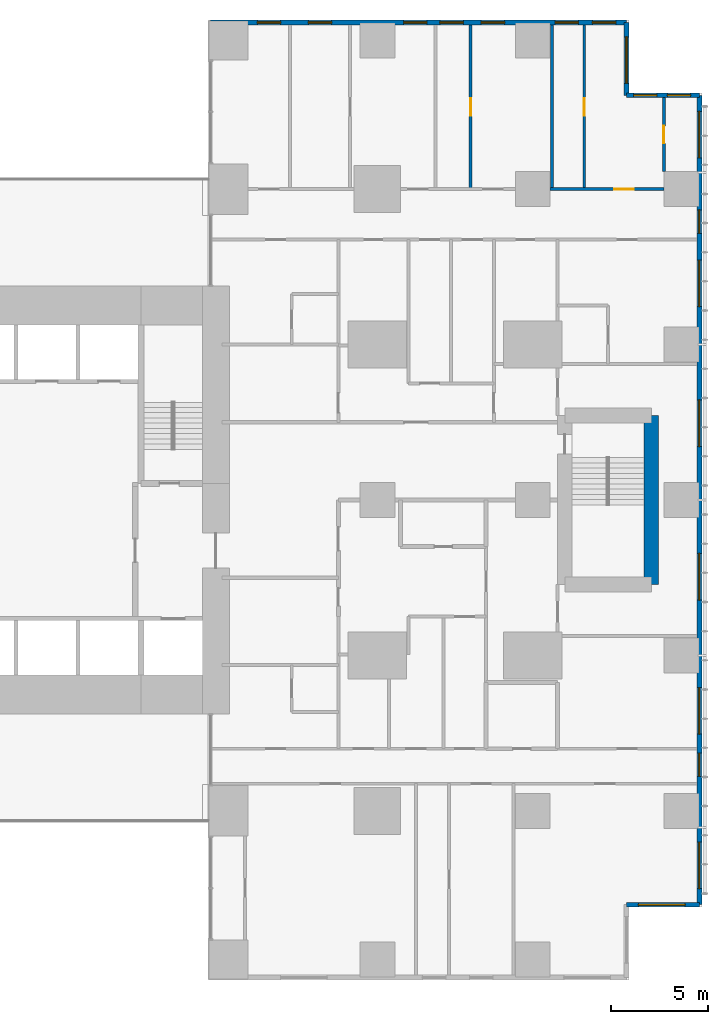
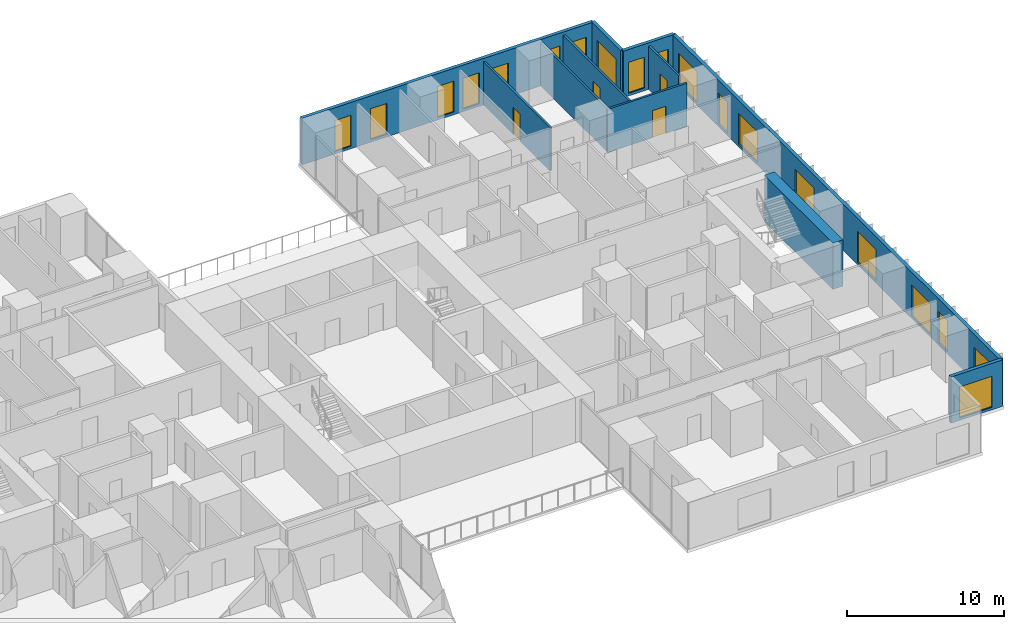
# One storey, part 18 of 20: 19 windows, 11 walls, 4 doors, 23 openings.
"""IFC4 building model written with IfcOpenShell, lengths in metres."""

import ifcopenshell
import ifcopenshell.guid

model = None  # the IFC model being written
_history = None  # IfcOwnerHistory: only IFC2X3 demands one
_inside = {}  # id of a spatial element -> (the spatial element, [elements in it])
_under = {}  # id of a project, library or spatial element -> (it, [spatial elements below it])
_declared = {}  # id of a project -> (the project, [libraries it declares])
_typed = {}  # id of a type object -> (the type object, [elements of that type])
_made_of = {}  # id of a material, layer set ... -> (it, [elements and type objects made of it])


def new_model(schema):
    """Start an empty IFC model of exactly this schema.

    Asked for "IFC4X3", IfcOpenShell would pick the latest addendum, in which some entities
    have other attributes; the version numbers below select the first issue.
    IFC2X3 requires an IfcOwnerHistory on every rooted entity: one is made here for all.
    """
    global model, _history
    if schema == "IFC4X3":
        model = ifcopenshell.file(schema_version=(4, 3, 0, 0))
    else:
        model = ifcopenshell.file(schema=schema)
    _inside.clear()
    _under.clear()
    _declared.clear()
    _typed.clear()
    _made_of.clear()
    _history = None
    if model.schema == "IFC2X3":
        org = make("IfcOrganization", Name="unknown")
        user = make(
            "IfcPersonAndOrganization",
            ThePerson=make("IfcPerson", FamilyName="unknown"),
            TheOrganization=org,
        )
        app = make(
            "IfcApplication",
            ApplicationDeveloper=org,
            Version="unknown",
            ApplicationFullName="unknown",
            ApplicationIdentifier="unknown",
        )
        _history = make(
            "IfcOwnerHistory",
            OwningUser=user,
            OwningApplication=app,
            ChangeAction="ADDED",
            CreationDate=0,
        )
    return model


def make(cls, **values):
    """One entity of the class cls with the attributes given. An attribute that is None is left unset."""
    return model.create_entity(
        cls, **{name: value for name, value in values.items() if value is not None}
    )


def rooted(cls, **values):
    """An entity with a GlobalId (a new one), such as an element, a storey or a relation."""
    return make(cls, GlobalId=ifcopenshell.guid.new(), OwnerHistory=_history, **values)


def si_unit(unit_type, name, prefix=None):
    """IfcSIUnit, for example si_unit("LENGTHUNIT", "METRE", prefix="MILLI")."""
    return make("IfcSIUnit", UnitType=unit_type, Prefix=prefix, Name=name)


def assignment(units):
    """IfcUnitAssignment: the units of a project."""
    return None if units is None else make("IfcUnitAssignment", Units=units)


def point(xyz):
    """IfcCartesianPoint."""
    return None if xyz is None else make("IfcCartesianPoint", Coordinates=xyz)


def direction(xyz):
    """IfcDirection."""
    return None if xyz is None else make("IfcDirection", DirectionRatios=xyz)


def frame(location, z_axis=None, x_axis=None):
    """IfcAxis2Placement3D, a coordinate frame: its origin and axes. An axis left out is left unset."""
    return make(
        "IfcAxis2Placement3D",
        Location=point(location),
        Axis=direction(z_axis),
        RefDirection=direction(x_axis),
    )


def frame_2d(location, x_axis=None):
    """IfcAxis2Placement2D, a coordinate frame in the plane: its origin and x axis."""
    return make(
        "IfcAxis2Placement2D", Location=point(location), RefDirection=direction(x_axis)
    )


def origin():
    """The frame at (0, 0, 0) with its axes left unset."""
    return frame((0.0, 0.0, 0.0))


def place(relative_to, where):
    """IfcLocalPlacement: puts the frame where relative to a parent placement (None: the world)."""
    return make(
        "IfcLocalPlacement", PlacementRelTo=relative_to, RelativePlacement=where
    )


def context(
    kind, dimensions, precision=None, world=None, true_north=None, identifier=None
):
    """IfcGeometricRepresentationContext, for example the 3D "Model" context."""
    return make(
        "IfcGeometricRepresentationContext",
        ContextIdentifier=identifier,
        ContextType=kind,
        CoordinateSpaceDimension=dimensions,
        Precision=precision,
        WorldCoordinateSystem=world,
        TrueNorth=true_north,
    )


def subcontext(parent, identifier, kind, view, scale=None):
    """IfcGeometricRepresentationSubContext, for example "Body" below "Model"."""
    return make(
        "IfcGeometricRepresentationSubContext",
        ContextIdentifier=identifier,
        ContextType=kind,
        ParentContext=parent,
        TargetScale=scale,
        TargetView=view,
    )


def project(units=None, contexts=None):
    """IfcProject with its units and contexts."""
    return rooted(
        "IfcProject",
        Name="project",
        RepresentationContexts=contexts,
        UnitsInContext=assignment(units),
    )


def spatial(cls, under=None, at=None, **own):
    """A site, building, storey or space (cls), placed at a placement, below another one or the project."""
    s = rooted(cls, ObjectPlacement=at, **own)
    if under is not None:
        _under.setdefault(under.id(), (under, []))[1].append(s)
    return s


def profile(cls, at=None, kind="AREA", **sizes):
    """A parametric profile (cls). Its sizes go by their IFC names, for example OverallWidth=200.0."""
    return make(cls, ProfileType=kind, Position=at, **sizes)


def rectangle(**sizes):
    """IfcRectangleProfileDef."""
    return profile("IfcRectangleProfileDef", **sizes)


def extrude(swept, where, along, depth):
    """IfcExtrudedAreaSolid: the profile swept, set in the frame where, extruded along a direction by depth."""
    return make(
        "IfcExtrudedAreaSolid",
        SweptArea=swept,
        Position=where,
        ExtrudedDirection=direction(along),
        Depth=depth,
    )


def shape(context_of_items, identifier, shape_type, items):
    """IfcShapeRepresentation: the items that make up one representation, for example the "Body"."""
    return make(
        "IfcShapeRepresentation",
        ContextOfItems=context_of_items,
        RepresentationIdentifier=identifier,
        RepresentationType=shape_type,
        Items=items,
    )


def material(Name=None, Category=None):
    """IfcMaterial."""
    return make("IfcMaterial", Name=Name, Category=Category)


def layer(
    of_material, thickness, ventilated=None, Name=None, Category=None, Priority=None
):
    """IfcMaterialLayer: one layer of a wall or slab, of a material (None: an air gap)."""
    return make(
        "IfcMaterialLayer",
        Material=of_material,
        LayerThickness=thickness,
        IsVentilated=ventilated,
        Name=Name,
        Category=Category,
        Priority=Priority,
    )


def layer_set(layers, Name=None):
    """IfcMaterialLayerSet."""
    return make("IfcMaterialLayerSet", MaterialLayers=layers, LayerSetName=Name)


def made_of(thing, what):
    """Note that an element or type object is made of a material, layer set ...; save() writes the relation."""
    if what is not None:
        _made_of.setdefault(what.id(), (what, []))[1].append(thing)
    return thing


def type_object(cls, material=None, **own):
    """A type object (cls), such as IfcWallType, which elements share."""
    return made_of(rooted(cls, **own), material)


def element(
    cls,
    number,
    at=None,
    inside=None,
    cuts=None,
    type_object=None,
    material=None,
    context=None,
    identifier="Body",
    shape_type=None,
    held_by="IfcProductDefinitionShape",
    body=None,
    shapes=None,
    **own,
):
    """One element of the class cls, such as IfcWall. Its Tag is "e" and its number.

    at: its placement. inside: the storey or other place that contains it. cuts: it is an
    opening in that element (IfcRelVoidsElement). A single representation is given by context,
    identifier, shape_type and body (its items); several are given by shapes. held_by: the class
    of the entity that holds the representations. save() writes the other relations.
    """
    e = rooted(cls, Tag="e%d" % number, ObjectPlacement=at, **own)
    if body is not None:
        shapes = [shape(context, identifier, shape_type, body)]
    if shapes is not None:
        e.Representation = make(held_by, Representations=shapes)
    if inside is not None:
        _inside.setdefault(inside.id(), (inside, []))[1].append(e)
    if cuts is not None:
        rooted(
            "IfcRelVoidsElement", RelatingBuildingElement=cuts, RelatedOpeningElement=e
        )
    if type_object is not None:
        _typed.setdefault(type_object.id(), (type_object, []))[1].append(e)
    return made_of(e, material)


def fill(opening, filler):
    """IfcRelFillsElement: the door or window that sits in an opening."""
    return rooted(
        "IfcRelFillsElement",
        RelatingOpeningElement=opening,
        RelatedBuildingElement=filler,
    )


def aggregate(whole, parts):
    """IfcRelAggregates: a whole, such as a stair, and the parts it consists of."""
    return rooted("IfcRelAggregates", RelatingObject=whole, RelatedObjects=parts)


def save(model, path):
    """Write the relations noted so far, then the file.

    IfcRelAggregates (storeys below a building ...), IfcRelContainedInSpatialStructure (elements
    in a storey), IfcRelDefinesByType, IfcRelAssociatesMaterial and IfcRelDeclares: one each for
    every whole, place, type object, material and project.
    """
    for whole, parts in _under.values():
        aggregate(whole, parts)
    for where, things in _inside.values():
        rooted(
            "IfcRelContainedInSpatialStructure",
            RelatedElements=things,
            RelatingStructure=where,
        )
    for kind, things in _typed.values():
        rooted("IfcRelDefinesByType", RelatedObjects=things, RelatingType=kind)
    for what, things in _made_of.values():
        rooted("IfcRelAssociatesMaterial", RelatedObjects=things, RelatingMaterial=what)
    for by, libraries in _declared.values():
        rooted("IfcRelDeclares", RelatingContext=by, RelatedDefinitions=libraries)
    model.write(path)


model = new_model("IFC4")

# Units and contexts
model_context = context("Model", 3, precision=1e-05, world=origin(), true_north=direction((0.0, 1.0)))
body_context = subcontext(model_context, "Body", "Model", "MODEL_VIEW")
ifc_project = project(units=[si_unit("LENGTHUNIT", "METRE"), si_unit("AREAUNIT", "SQUARE_METRE"), si_unit("VOLUMEUNIT", "CUBIC_METRE"), si_unit("PLANEANGLEUNIT", "RADIAN"), si_unit("MASSUNIT", "GRAM", prefix="KILO")], contexts=[model_context])

# Site, building, storey
site_placement = place(None, origin())
site = spatial("IfcSite", under=ifc_project, at=site_placement, CompositionType="ELEMENT")
building_placement = place(site_placement, origin())
building = spatial("IfcBuilding", under=site, at=building_placement, Name="Cleftline Residences", CompositionType="ELEMENT")
storey_placement = place(building_placement, frame((0.0, 0.0, 182.199951171875)))
storey = spatial("IfcBuildingStorey", under=building, at=storey_placement, Name="L47", CompositionType="ELEMENT", Elevation=182.199951171875)

# Wall, opening, window
ifc_material_1 = material(Name="Rendered reinforced concrete blockwork", Category="masonry")
ifc_layer_1 = layer(ifc_material_1, 0.25)
ifc_layer_set_1 = layer_set([ifc_layer_1], Name="EXTERNAL WALL 250")
wall_type_1 = type_object("IfcWallType", Name="EXTERNAL WALL 250", PredefinedType="SOLIDWALL", material=ifc_layer_set_1)
wall_1_placement = place(storey_placement, frame((62.824951171875, 3.175048828125, 0.0), z_axis=(0.0, 0.0, 1.0), x_axis=(1.0, 0.0, 0.0)))
wall_1 = element("IfcWall", 1, at=wall_1_placement, inside=storey, type_object=wall_type_1, Name="External wall", PredefinedType="SOLIDWALL", context=body_context, shape_type="SweptSolid", body=[
    extrude(rectangle(XDim=3.75, YDim=0.25, at=frame_2d((1.875, 0.0))), origin(), (0.0, 0.0, 1.0), 3.60009765625),
])
opening_1_placement = place(wall_1_placement, frame((0.612548828125, 0.0, 0.199951171875)))
opening_1 = element("IfcOpeningElement", 2, at=opening_1_placement, cuts=wall_1, Name="Opening W9", PredefinedType="OPENING", context=body_context, shape_type="SweptSolid", body=[
    extrude(rectangle(XDim=2.39990234375, YDim=2.39990234375, at=frame_2d((1.199951171875, 1.199951171875))), frame((0.0, 0.135009765625, 0.0), z_axis=(0.0, -1.0, 0.0), x_axis=(1.0, 0.0, 0.0)), (0.0, 0.0, 1.0), 0.27001953125),
])
ifc_material_2 = material(Name="Aluminium frame, clear double glazing", Category="aluminium")
window_type_1 = type_object("IfcWindowType", Name="WINDOW 2400X2400", PartitioningType="DOUBLE_PANEL_VERTICAL", PredefinedType="WINDOW", material=ifc_material_2)
window_1_placement = place(opening_1_placement, origin())
window_1 = element("IfcWindow", 3, at=window_1_placement, inside=storey, type_object=window_type_1, Name="Window", OverallHeight=2.39990234375, OverallWidth=2.39990234375, PartitioningType="SINGLE_PANEL", PredefinedType="WINDOW", context=body_context, shape_type="SweptSolid", body=[
    extrude(rectangle(XDim=2.39990234375, YDim=2.39990234375, at=frame_2d((1.199951171875, 1.199951171875))), frame((0.0, 0.030029296875, 0.0), z_axis=(0.0, -1.0, 0.0), x_axis=(1.0, 0.0, 0.0)), (0.0, 0.0, 1.0), 0.06005859375),
])
fill(opening_1, window_1)

# Wall, openings, windows
wall_2_placement = place(storey_placement, frame((66.574951171875, 3.175048828125, 0.0), z_axis=(0.0, 0.0, 1.0), x_axis=(0.0, 1.0, 0.0)))
wall_2 = element("IfcWall", 4, at=wall_2_placement, inside=storey, type_object=wall_type_1, Name="External wall", PredefinedType="SOLIDWALL", context=body_context, shape_type="SweptSolid", body=[
    extrude(rectangle(XDim=41.64990234375, YDim=0.25, at=frame_2d((20.824951171875, 0.0))), origin(), (0.0, 0.0, 1.0), 3.60009765625),
])
opening_2_placement = place(wall_2_placement, frame((0.824951171875, 0.0, 0.199951171875)))
opening_2 = element("IfcOpeningElement", 5, at=opening_2_placement, cuts=wall_2, Name="Opening W9", PredefinedType="OPENING", context=body_context, shape_type="SweptSolid", body=[
    extrude(rectangle(XDim=2.39990234375, YDim=2.39990234375, at=frame_2d((1.199951171875, 1.199951171875))), frame((0.0, 0.135009765625, 0.0), z_axis=(0.0, -1.0, 0.0), x_axis=(1.0, 0.0, 0.0)), (0.0, 0.0, 1.0), 0.27001953125),
])
opening_3_placement = place(wall_2_placement, frame((6.60009765625, 0.0, 0.199951171875)))
opening_3 = element("IfcOpeningElement", 6, at=opening_3_placement, cuts=wall_2, Name="Opening W13", PredefinedType="OPENING", context=body_context, shape_type="SweptSolid", body=[
    extrude(rectangle(XDim=1.199951171875, YDim=2.39990234375, at=frame_2d((0.60009765625, 1.199951171875))), frame((0.0, 0.135009765625, 0.0), z_axis=(0.0, -1.0, 0.0), x_axis=(1.0, 0.0, 0.0)), (0.0, 0.0, 1.0), 0.27001953125),
])
opening_4_placement = place(wall_2_placement, frame((8.77490234375, 0.0, 0.199951171875)))
opening_4 = element("IfcOpeningElement", 7, at=opening_4_placement, cuts=wall_2, Name="Opening W9", PredefinedType="OPENING", context=body_context, shape_type="SweptSolid", body=[
    extrude(rectangle(XDim=2.39990234375, YDim=2.39990234375, at=frame_2d((1.199951171875, 1.199951171875))), frame((0.0, 0.135009765625, 0.0), z_axis=(0.0, -1.0, 0.0), x_axis=(1.0, 0.0, 0.0)), (0.0, 0.0, 1.0), 0.27001953125),
])
opening_5_placement = place(wall_2_placement, frame((15.675048828125, 0.0, 0.199951171875)))
opening_5 = element("IfcOpeningElement", 8, at=opening_5_placement, cuts=wall_2, Name="Opening W9", PredefinedType="OPENING", context=body_context, shape_type="SweptSolid", body=[
    extrude(rectangle(XDim=2.39990234375, YDim=2.39990234375, at=frame_2d((1.199951171875, 1.199951171875))), frame((0.0, 0.135009765625, 0.0), z_axis=(0.0, -1.0, 0.0), x_axis=(1.0, 0.0, 0.0)), (0.0, 0.0, 1.0), 0.27001953125),
])
opening_6_placement = place(wall_2_placement, frame((23.574951171875, 0.0, 0.199951171875)))
opening_6 = element("IfcOpeningElement", 9, at=opening_6_placement, cuts=wall_2, Name="Opening W9", PredefinedType="OPENING", context=body_context, shape_type="SweptSolid", body=[
    extrude(rectangle(XDim=2.39990234375, YDim=2.39990234375, at=frame_2d((1.199951171875, 1.199951171875))), frame((0.0, 0.135009765625, 0.0), z_axis=(0.0, -1.0, 0.0), x_axis=(1.0, 0.0, 0.0)), (0.0, 0.0, 1.0), 0.27001953125),
])
opening_7_placement = place(wall_2_placement, frame((30.77490234375, 0.0, 0.199951171875)))
opening_7 = element("IfcOpeningElement", 10, at=opening_7_placement, cuts=wall_2, Name="Opening W9", PredefinedType="OPENING", context=body_context, shape_type="SweptSolid", body=[
    extrude(rectangle(XDim=2.39990234375, YDim=2.39990234375, at=frame_2d((1.199951171875, 1.199951171875))), frame((0.0, 0.135009765625, 0.0), z_axis=(0.0, -1.0, 0.0), x_axis=(1.0, 0.0, 0.0)), (0.0, 0.0, 1.0), 0.27001953125),
])
opening_8_placement = place(wall_2_placement, frame((34.550048828125, 0.0, 0.199951171875)))
opening_8 = element("IfcOpeningElement", 11, at=opening_8_placement, cuts=wall_2, Name="Opening W13", PredefinedType="OPENING", context=body_context, shape_type="SweptSolid", body=[
    extrude(rectangle(XDim=1.199951171875, YDim=2.39990234375, at=frame_2d((0.60009765625, 1.199951171875))), frame((0.0, 0.135009765625, 0.0), z_axis=(0.0, -1.0, 0.0), x_axis=(1.0, 0.0, 0.0)), (0.0, 0.0, 1.0), 0.27001953125),
])
opening_9_placement = place(wall_2_placement, frame((38.425048828125, 0.0, 0.199951171875)))
opening_9 = element("IfcOpeningElement", 12, at=opening_9_placement, cuts=wall_2, Name="Opening W9", PredefinedType="OPENING", context=body_context, shape_type="SweptSolid", body=[
    extrude(rectangle(XDim=2.39990234375, YDim=2.39990234375, at=frame_2d((1.199951171875, 1.199951171875))), frame((0.0, 0.135009765625, 0.0), z_axis=(0.0, -1.0, 0.0), x_axis=(1.0, 0.0, 0.0)), (0.0, 0.0, 1.0), 0.27001953125),
])
ifc_material_3 = material(Name="Aluminium frame, clear double glazing", Category="aluminium")
window_type_2 = type_object("IfcWindowType", Name="WINDOW 1200X2400", PartitioningType="DOUBLE_PANEL_VERTICAL", PredefinedType="WINDOW", material=ifc_material_3)
window_2_placement = place(opening_3_placement, origin())
window_2 = element("IfcWindow", 13, at=window_2_placement, inside=storey, type_object=window_type_2, Name="Window", OverallHeight=2.39990234375, OverallWidth=1.199951171875, PartitioningType="SINGLE_PANEL", PredefinedType="WINDOW", context=body_context, shape_type="SweptSolid", body=[
    extrude(rectangle(XDim=1.199951171875, YDim=2.39990234375, at=frame_2d((0.60009765625, 1.199951171875))), frame((0.0, 0.030029296875, 0.0), z_axis=(0.0, -1.0, 0.0), x_axis=(1.0, 0.0, 0.0)), (0.0, 0.0, 1.0), 0.06005859375),
])
fill(opening_3, window_2)
window_3_placement = place(opening_8_placement, origin())
window_3 = element("IfcWindow", 14, at=window_3_placement, inside=storey, type_object=window_type_2, Name="Window", OverallHeight=2.39990234375, OverallWidth=1.199951171875, PartitioningType="SINGLE_PANEL", PredefinedType="WINDOW", context=body_context, shape_type="SweptSolid", body=[
    extrude(rectangle(XDim=1.199951171875, YDim=2.39990234375, at=frame_2d((0.60009765625, 1.199951171875))), frame((0.0, 0.030029296875, 0.0), z_axis=(0.0, -1.0, 0.0), x_axis=(1.0, 0.0, 0.0)), (0.0, 0.0, 1.0), 0.06005859375),
])
fill(opening_8, window_3)
window_4_placement = place(opening_2_placement, origin())
window_4 = element("IfcWindow", 15, at=window_4_placement, inside=storey, type_object=window_type_1, Name="Window", OverallHeight=2.39990234375, OverallWidth=2.39990234375, PartitioningType="SINGLE_PANEL", PredefinedType="WINDOW", context=body_context, shape_type="SweptSolid", body=[
    extrude(rectangle(XDim=2.39990234375, YDim=2.39990234375, at=frame_2d((1.199951171875, 1.199951171875))), frame((0.0, 0.030029296875, 0.0), z_axis=(0.0, -1.0, 0.0), x_axis=(1.0, 0.0, 0.0)), (0.0, 0.0, 1.0), 0.06005859375),
])
fill(opening_2, window_4)
window_5_placement = place(opening_4_placement, origin())
window_5 = element("IfcWindow", 16, at=window_5_placement, inside=storey, type_object=window_type_1, Name="Window", OverallHeight=2.39990234375, OverallWidth=2.39990234375, PartitioningType="SINGLE_PANEL", PredefinedType="WINDOW", context=body_context, shape_type="SweptSolid", body=[
    extrude(rectangle(XDim=2.39990234375, YDim=2.39990234375, at=frame_2d((1.199951171875, 1.199951171875))), frame((0.0, 0.030029296875, 0.0), z_axis=(0.0, -1.0, 0.0), x_axis=(1.0, 0.0, 0.0)), (0.0, 0.0, 1.0), 0.06005859375),
])
fill(opening_4, window_5)
window_6_placement = place(opening_5_placement, origin())
window_6 = element("IfcWindow", 17, at=window_6_placement, inside=storey, type_object=window_type_1, Name="Window", OverallHeight=2.39990234375, OverallWidth=2.39990234375, PartitioningType="SINGLE_PANEL", PredefinedType="WINDOW", context=body_context, shape_type="SweptSolid", body=[
    extrude(rectangle(XDim=2.39990234375, YDim=2.39990234375, at=frame_2d((1.199951171875, 1.199951171875))), frame((0.0, 0.030029296875, 0.0), z_axis=(0.0, -1.0, 0.0), x_axis=(1.0, 0.0, 0.0)), (0.0, 0.0, 1.0), 0.06005859375),
])
fill(opening_5, window_6)
window_7_placement = place(opening_6_placement, origin())
window_7 = element("IfcWindow", 18, at=window_7_placement, inside=storey, type_object=window_type_1, Name="Window", OverallHeight=2.39990234375, OverallWidth=2.39990234375, PartitioningType="SINGLE_PANEL", PredefinedType="WINDOW", context=body_context, shape_type="SweptSolid", body=[
    extrude(rectangle(XDim=2.39990234375, YDim=2.39990234375, at=frame_2d((1.199951171875, 1.199951171875))), frame((0.0, 0.030029296875, 0.0), z_axis=(0.0, -1.0, 0.0), x_axis=(1.0, 0.0, 0.0)), (0.0, 0.0, 1.0), 0.06005859375),
])
fill(opening_6, window_7)
window_8_placement = place(opening_7_placement, origin())
window_8 = element("IfcWindow", 19, at=window_8_placement, inside=storey, type_object=window_type_1, Name="Window", OverallHeight=2.39990234375, OverallWidth=2.39990234375, PartitioningType="SINGLE_PANEL", PredefinedType="WINDOW", context=body_context, shape_type="SweptSolid", body=[
    extrude(rectangle(XDim=2.39990234375, YDim=2.39990234375, at=frame_2d((1.199951171875, 1.199951171875))), frame((0.0, 0.030029296875, 0.0), z_axis=(0.0, -1.0, 0.0), x_axis=(1.0, 0.0, 0.0)), (0.0, 0.0, 1.0), 0.06005859375),
])
fill(opening_7, window_8)
window_9_placement = place(opening_9_placement, origin())
window_9 = element("IfcWindow", 20, at=window_9_placement, inside=storey, type_object=window_type_1, Name="Window", OverallHeight=2.39990234375, OverallWidth=2.39990234375, PartitioningType="SINGLE_PANEL", PredefinedType="WINDOW", context=body_context, shape_type="SweptSolid", body=[
    extrude(rectangle(XDim=2.39990234375, YDim=2.39990234375, at=frame_2d((1.199951171875, 1.199951171875))), frame((0.0, 0.030029296875, 0.0), z_axis=(0.0, -1.0, 0.0), x_axis=(1.0, 0.0, 0.0)), (0.0, 0.0, 1.0), 0.06005859375),
])
fill(opening_9, window_9)

wall_3_placement = place(storey_placement, frame((66.574951171875, 44.824951171875, 0.0), z_axis=(0.0, 0.0, 1.0), x_axis=(-1.0, 0.0, 0.0)))
wall_3 = element("IfcWall", 21, at=wall_3_placement, inside=storey, type_object=wall_type_1, Name="External wall", PredefinedType="SOLIDWALL", context=body_context, shape_type="SweptSolid", body=[
    extrude(rectangle(XDim=3.75, YDim=0.25, at=frame_2d((1.875, 0.0))), origin(), (0.0, 0.0, 1.0), 3.60009765625),
])
opening_10_placement = place(wall_3_placement, frame((0.449951171875, 0.0, 0.199951171875)))
opening_10 = element("IfcOpeningElement", 22, at=opening_10_placement, cuts=wall_3, Name="Opening W13", PredefinedType="OPENING", context=body_context, shape_type="SweptSolid", body=[
    extrude(rectangle(XDim=1.199951171875, YDim=2.39990234375, at=frame_2d((0.60009765625, 1.199951171875))), frame((0.0, 0.135009765625, 0.0), z_axis=(0.0, -1.0, 0.0), x_axis=(1.0, 0.0, 0.0)), (0.0, 0.0, 1.0), 0.27001953125),
])
opening_11_placement = place(wall_3_placement, frame((2.1875, 0.0, 0.199951171875)))
opening_11 = element("IfcOpeningElement", 23, at=opening_11_placement, cuts=wall_3, Name="Opening W13", PredefinedType="OPENING", context=body_context, shape_type="SweptSolid", body=[
    extrude(rectangle(XDim=1.199951171875, YDim=2.39990234375, at=frame_2d((0.60009765625, 1.199951171875))), frame((0.0, 0.135009765625, 0.0), z_axis=(0.0, -1.0, 0.0), x_axis=(1.0, 0.0, 0.0)), (0.0, 0.0, 1.0), 0.27001953125),
])
window_10_placement = place(opening_10_placement, origin())
window_10 = element("IfcWindow", 24, at=window_10_placement, inside=storey, type_object=window_type_2, Name="Window", OverallHeight=2.39990234375, OverallWidth=1.199951171875, PartitioningType="SINGLE_PANEL", PredefinedType="WINDOW", context=body_context, shape_type="SweptSolid", body=[
    extrude(rectangle(XDim=1.199951171875, YDim=2.39990234375, at=frame_2d((0.60009765625, 1.199951171875))), frame((0.0, 0.030029296875, 0.0), z_axis=(0.0, -1.0, 0.0), x_axis=(1.0, 0.0, 0.0)), (0.0, 0.0, 1.0), 0.06005859375),
])
fill(opening_10, window_10)
window_11_placement = place(opening_11_placement, origin())
window_11 = element("IfcWindow", 25, at=window_11_placement, inside=storey, type_object=window_type_2, Name="Window", OverallHeight=2.39990234375, OverallWidth=1.199951171875, PartitioningType="SINGLE_PANEL", PredefinedType="WINDOW", context=body_context, shape_type="SweptSolid", body=[
    extrude(rectangle(XDim=1.199951171875, YDim=2.39990234375, at=frame_2d((0.60009765625, 1.199951171875))), frame((0.0, 0.030029296875, 0.0), z_axis=(0.0, -1.0, 0.0), x_axis=(1.0, 0.0, 0.0)), (0.0, 0.0, 1.0), 0.06005859375),
])
fill(opening_11, window_11)

# Wall, opening, window
wall_4_placement = place(storey_placement, frame((62.824951171875, 44.824951171875, 0.0), z_axis=(0.0, 0.0, 1.0), x_axis=(0.0, 1.0, 0.0)))
wall_4 = element("IfcWall", 26, at=wall_4_placement, inside=storey, type_object=wall_type_1, Name="External wall", PredefinedType="SOLIDWALL", context=body_context, shape_type="SweptSolid", body=[
    extrude(rectangle(XDim=3.75, YDim=0.25, at=frame_2d((1.875, 0.0))), origin(), (0.0, 0.0, 1.0), 3.60009765625),
])
opening_12_placement = place(wall_4_placement, frame((0.612548828125, 0.0, 0.199951171875)))
opening_12 = element("IfcOpeningElement", 27, at=opening_12_placement, cuts=wall_4, Name="Opening W9", PredefinedType="OPENING", context=body_context, shape_type="SweptSolid", body=[
    extrude(rectangle(XDim=2.39990234375, YDim=2.39990234375, at=frame_2d((1.199951171875, 1.199951171875))), frame((0.0, 0.135009765625, 0.0), z_axis=(0.0, -1.0, 0.0), x_axis=(1.0, 0.0, 0.0)), (0.0, 0.0, 1.0), 0.27001953125),
])
window_12_placement = place(opening_12_placement, origin())
window_12 = element("IfcWindow", 28, at=window_12_placement, inside=storey, type_object=window_type_1, Name="Window", OverallHeight=2.39990234375, OverallWidth=2.39990234375, PartitioningType="SINGLE_PANEL", PredefinedType="WINDOW", context=body_context, shape_type="SweptSolid", body=[
    extrude(rectangle(XDim=2.39990234375, YDim=2.39990234375, at=frame_2d((1.199951171875, 1.199951171875))), frame((0.0, 0.030029296875, 0.0), z_axis=(0.0, -1.0, 0.0), x_axis=(1.0, 0.0, 0.0)), (0.0, 0.0, 1.0), 0.06005859375),
])
fill(opening_12, window_12)

# Wall, openings, windows
wall_5_placement = place(storey_placement, frame((62.824951171875, 48.574951171875, 0.0), z_axis=(0.0, 0.0, 1.0), x_axis=(-1.0, 0.0, 0.0)))
wall_5 = element("IfcWall", 29, at=wall_5_placement, inside=storey, type_object=wall_type_1, Name="External wall", PredefinedType="SOLIDWALL", context=body_context, shape_type="SweptSolid", body=[
    extrude(rectangle(XDim=21.39990234375, YDim=0.25, at=frame_2d((10.699951171875, 0.0))), origin(), (0.0, 0.0, 1.0), 3.60009765625),
])
opening_13_placement = place(wall_5_placement, frame((0.550048828125, 0.0, 0.199951171875)))
opening_13 = element("IfcOpeningElement", 30, at=opening_13_placement, cuts=wall_5, Name="Opening W13", PredefinedType="OPENING", context=body_context, shape_type="SweptSolid", body=[
    extrude(rectangle(XDim=1.199951171875, YDim=2.39990234375, at=frame_2d((0.60009765625, 1.199951171875))), frame((0.0, 0.135009765625, 0.0), z_axis=(0.0, -1.0, 0.0), x_axis=(1.0, 0.0, 0.0)), (0.0, 0.0, 1.0), 0.27001953125),
])
opening_14_placement = place(wall_5_placement, frame((2.47509765625, 0.0, 0.199951171875)))
opening_14 = element("IfcOpeningElement", 31, at=opening_14_placement, cuts=wall_5, Name="Opening W13", PredefinedType="OPENING", context=body_context, shape_type="SweptSolid", body=[
    extrude(rectangle(XDim=1.199951171875, YDim=2.39990234375, at=frame_2d((0.60009765625, 1.199951171875))), frame((0.0, 0.135009765625, 0.0), z_axis=(0.0, -1.0, 0.0), x_axis=(1.0, 0.0, 0.0)), (0.0, 0.0, 1.0), 0.27001953125),
])
opening_15_placement = place(wall_5_placement, frame((6.27490234375, 0.0, 0.199951171875)))
opening_15 = element("IfcOpeningElement", 32, at=opening_15_placement, cuts=wall_5, Name="Opening W13", PredefinedType="OPENING", context=body_context, shape_type="SweptSolid", body=[
    extrude(rectangle(XDim=1.199951171875, YDim=2.39990234375, at=frame_2d((0.60009765625, 1.199951171875))), frame((0.0, 0.135009765625, 0.0), z_axis=(0.0, -1.0, 0.0), x_axis=(1.0, 0.0, 0.0)), (0.0, 0.0, 1.0), 0.27001953125),
])
opening_16_placement = place(wall_5_placement, frame((8.39990234375, 0.0, 0.199951171875)))
opening_16 = element("IfcOpeningElement", 33, at=opening_16_placement, cuts=wall_5, Name="Opening W13", PredefinedType="OPENING", context=body_context, shape_type="SweptSolid", body=[
    extrude(rectangle(XDim=1.199951171875, YDim=2.39990234375, at=frame_2d((0.60009765625, 1.199951171875))), frame((0.0, 0.135009765625, 0.0), z_axis=(0.0, -1.0, 0.0), x_axis=(1.0, 0.0, 0.0)), (0.0, 0.0, 1.0), 0.27001953125),
])
opening_17_placement = place(wall_5_placement, frame((10.27490234375, 0.0, 0.199951171875)))
opening_17 = element("IfcOpeningElement", 34, at=opening_17_placement, cuts=wall_5, Name="Opening W13", PredefinedType="OPENING", context=body_context, shape_type="SweptSolid", body=[
    extrude(rectangle(XDim=1.199951171875, YDim=2.39990234375, at=frame_2d((0.60009765625, 1.199951171875))), frame((0.0, 0.135009765625, 0.0), z_axis=(0.0, -1.0, 0.0), x_axis=(1.0, 0.0, 0.0)), (0.0, 0.0, 1.0), 0.27001953125),
])
opening_18_placement = place(wall_5_placement, frame((15.175048828125, 0.0, 0.199951171875)))
opening_18 = element("IfcOpeningElement", 35, at=opening_18_placement, cuts=wall_5, Name="Opening W13", PredefinedType="OPENING", context=body_context, shape_type="SweptSolid", body=[
    extrude(rectangle(XDim=1.199951171875, YDim=2.39990234375, at=frame_2d((0.60009765625, 1.199951171875))), frame((0.0, 0.135009765625, 0.0), z_axis=(0.0, -1.0, 0.0), x_axis=(1.0, 0.0, 0.0)), (0.0, 0.0, 1.0), 0.27001953125),
])
opening_19_placement = place(wall_5_placement, frame((17.800048828125, 0.0, 0.199951171875)))
opening_19 = element("IfcOpeningElement", 36, at=opening_19_placement, cuts=wall_5, Name="Opening W13", PredefinedType="OPENING", context=body_context, shape_type="SweptSolid", body=[
    extrude(rectangle(XDim=1.199951171875, YDim=2.39990234375, at=frame_2d((0.60009765625, 1.199951171875))), frame((0.0, 0.135009765625, 0.0), z_axis=(0.0, -1.0, 0.0), x_axis=(1.0, 0.0, 0.0)), (0.0, 0.0, 1.0), 0.27001953125),
])
window_13_placement = place(opening_13_placement, origin())
window_13 = element("IfcWindow", 37, at=window_13_placement, inside=storey, type_object=window_type_2, Name="Window", OverallHeight=2.39990234375, OverallWidth=1.199951171875, PartitioningType="SINGLE_PANEL", PredefinedType="WINDOW", context=body_context, shape_type="SweptSolid", body=[
    extrude(rectangle(XDim=1.199951171875, YDim=2.39990234375, at=frame_2d((0.60009765625, 1.199951171875))), frame((0.0, 0.030029296875, 0.0), z_axis=(0.0, -1.0, 0.0), x_axis=(1.0, 0.0, 0.0)), (0.0, 0.0, 1.0), 0.06005859375),
])
fill(opening_13, window_13)
window_14_placement = place(opening_14_placement, origin())
window_14 = element("IfcWindow", 38, at=window_14_placement, inside=storey, type_object=window_type_2, Name="Window", OverallHeight=2.39990234375, OverallWidth=1.199951171875, PartitioningType="SINGLE_PANEL", PredefinedType="WINDOW", context=body_context, shape_type="SweptSolid", body=[
    extrude(rectangle(XDim=1.199951171875, YDim=2.39990234375, at=frame_2d((0.60009765625, 1.199951171875))), frame((0.0, 0.030029296875, 0.0), z_axis=(0.0, -1.0, 0.0), x_axis=(1.0, 0.0, 0.0)), (0.0, 0.0, 1.0), 0.06005859375),
])
fill(opening_14, window_14)
window_15_placement = place(opening_15_placement, origin())
window_15 = element("IfcWindow", 39, at=window_15_placement, inside=storey, type_object=window_type_2, Name="Window", OverallHeight=2.39990234375, OverallWidth=1.199951171875, PartitioningType="SINGLE_PANEL", PredefinedType="WINDOW", context=body_context, shape_type="SweptSolid", body=[
    extrude(rectangle(XDim=1.199951171875, YDim=2.39990234375, at=frame_2d((0.60009765625, 1.199951171875))), frame((0.0, 0.030029296875, 0.0), z_axis=(0.0, -1.0, 0.0), x_axis=(1.0, 0.0, 0.0)), (0.0, 0.0, 1.0), 0.06005859375),
])
fill(opening_15, window_15)
window_16_placement = place(opening_16_placement, origin())
window_16 = element("IfcWindow", 40, at=window_16_placement, inside=storey, type_object=window_type_2, Name="Window", OverallHeight=2.39990234375, OverallWidth=1.199951171875, PartitioningType="SINGLE_PANEL", PredefinedType="WINDOW", context=body_context, shape_type="SweptSolid", body=[
    extrude(rectangle(XDim=1.199951171875, YDim=2.39990234375, at=frame_2d((0.60009765625, 1.199951171875))), frame((0.0, 0.030029296875, 0.0), z_axis=(0.0, -1.0, 0.0), x_axis=(1.0, 0.0, 0.0)), (0.0, 0.0, 1.0), 0.06005859375),
])
fill(opening_16, window_16)
window_17_placement = place(opening_17_placement, origin())
window_17 = element("IfcWindow", 41, at=window_17_placement, inside=storey, type_object=window_type_2, Name="Window", OverallHeight=2.39990234375, OverallWidth=1.199951171875, PartitioningType="SINGLE_PANEL", PredefinedType="WINDOW", context=body_context, shape_type="SweptSolid", body=[
    extrude(rectangle(XDim=1.199951171875, YDim=2.39990234375, at=frame_2d((0.60009765625, 1.199951171875))), frame((0.0, 0.030029296875, 0.0), z_axis=(0.0, -1.0, 0.0), x_axis=(1.0, 0.0, 0.0)), (0.0, 0.0, 1.0), 0.06005859375),
])
fill(opening_17, window_17)
window_18_placement = place(opening_18_placement, origin())
window_18 = element("IfcWindow", 42, at=window_18_placement, inside=storey, type_object=window_type_2, Name="Window", OverallHeight=2.39990234375, OverallWidth=1.199951171875, PartitioningType="SINGLE_PANEL", PredefinedType="WINDOW", context=body_context, shape_type="SweptSolid", body=[
    extrude(rectangle(XDim=1.199951171875, YDim=2.39990234375, at=frame_2d((0.60009765625, 1.199951171875))), frame((0.0, 0.030029296875, 0.0), z_axis=(0.0, -1.0, 0.0), x_axis=(1.0, 0.0, 0.0)), (0.0, 0.0, 1.0), 0.06005859375),
])
fill(opening_18, window_18)
window_19_placement = place(opening_19_placement, origin())
window_19 = element("IfcWindow", 43, at=window_19_placement, inside=storey, type_object=window_type_2, Name="Window", OverallHeight=2.39990234375, OverallWidth=1.199951171875, PartitioningType="SINGLE_PANEL", PredefinedType="WINDOW", context=body_context, shape_type="SweptSolid", body=[
    extrude(rectangle(XDim=1.199951171875, YDim=2.39990234375, at=frame_2d((0.60009765625, 1.199951171875))), frame((0.0, 0.030029296875, 0.0), z_axis=(0.0, -1.0, 0.0), x_axis=(1.0, 0.0, 0.0)), (0.0, 0.0, 1.0), 0.06005859375),
])
fill(opening_19, window_19)

# Wall, opening, door
ifc_material_4 = material(Name="Gypsum board on steel studs", Category="steel")
ifc_layer_2 = layer(ifc_material_4, 0.14990234375)
ifc_layer_set_2 = layer_set([ifc_layer_2], Name="PARTITION 150")
wall_type_2 = type_object("IfcWallType", Name="PARTITION 150", PredefinedType="PARTITIONING", material=ifc_layer_set_2)
wall_6_placement = place(storey_placement, frame((58.89990234375, 40.0, 0.0), z_axis=(0.0, 0.0, 1.0), x_axis=(1.0, 0.0, 0.0)))
wall_6 = element("IfcWall", 44, at=wall_6_placement, inside=storey, type_object=wall_type_2, Name="Partition", PredefinedType="PARTITIONING", context=body_context, shape_type="SweptSolid", body=[
    extrude(rectangle(XDim=5.85009765625, YDim=0.14990234375, at=frame_2d((2.925048828125, 0.0))), origin(), (0.0, 0.0, 1.0), 3.35009765625),
])
opening_20_placement = place(wall_6_placement, frame((3.300048828125, 0.0, 0.0)))
opening_20 = element("IfcOpeningElement", 45, at=opening_20_placement, cuts=wall_6, Name="Opening D2", PredefinedType="OPENING", context=body_context, shape_type="SweptSolid", body=[
    extrude(rectangle(XDim=1.0, YDim=2.10009765625, at=frame_2d((0.5, 1.050048828125))), frame((0.0, 0.0849609375, 0.0), z_axis=(0.0, -1.0, 0.0), x_axis=(1.0, 0.0, 0.0)), (0.0, 0.0, 1.0), 0.169921875),
])
ifc_material_5 = material(Name="Timber veneer on solid core", Category="wood")
door_type_1 = type_object("IfcDoorType", Name="DOOR 1000X2100", OperationType="SINGLE_SWING_LEFT", PredefinedType="DOOR", material=ifc_material_5)
door_1_placement = place(opening_20_placement, origin())
door_1 = element("IfcDoor", 46, at=door_1_placement, inside=storey, type_object=door_type_1, Name="Door to bedroom 2", OperationType="SINGLE_SWING_LEFT", OverallHeight=2.10009765625, OverallWidth=1.0, PredefinedType="DOOR", context=body_context, shape_type="SweptSolid", body=[
    extrude(rectangle(XDim=1.0, YDim=2.10009765625, at=frame_2d((0.5, 1.050048828125))), frame((0.0, 0.02490234375, 0.0), z_axis=(0.0, -1.0, 0.0), x_axis=(1.0, 0.0, 0.0)), (0.0, 0.0, 1.0), 0.050048828125),
])
fill(opening_20, door_1)

wall_7_placement = place(storey_placement, frame((54.800048828125, 40.0, 0.0), z_axis=(0.0, 0.0, 1.0), x_axis=(0.0, 1.0, 0.0)))
wall_7 = element("IfcWall", 47, at=wall_7_placement, inside=storey, type_object=wall_type_2, Name="Partition", PredefinedType="PARTITIONING", context=body_context, shape_type="SweptSolid", body=[
    extrude(rectangle(XDim=8.449951171875, YDim=0.14990234375, at=frame_2d((4.22509765625, 0.0))), origin(), (0.0, 0.0, 1.0), 3.35009765625),
])
opening_21_placement = place(wall_7_placement, frame((3.77490234375, 0.0, 0.0)))
opening_21 = element("IfcOpeningElement", 48, at=opening_21_placement, cuts=wall_7, Name="Opening D1", PredefinedType="OPENING", context=body_context, shape_type="SweptSolid", body=[
    extrude(rectangle(XDim=0.89990234375, YDim=2.10009765625, at=frame_2d((0.449951171875, 1.050048828125))), frame((0.0, 0.0849609375, 0.0), z_axis=(0.0, -1.0, 0.0), x_axis=(1.0, 0.0, 0.0)), (0.0, 0.0, 1.0), 0.169921875),
])
ifc_material_6 = material(Name="Timber veneer on solid core", Category="wood")
door_type_2 = type_object("IfcDoorType", Name="DOOR 900X2100", OperationType="SINGLE_SWING_LEFT", PredefinedType="DOOR", material=ifc_material_6)
door_2_placement = place(opening_21_placement, origin())
door_2 = element("IfcDoor", 49, at=door_2_placement, inside=storey, type_object=door_type_2, Name="Door to en-suite bathroom 3", OperationType="SINGLE_SWING_LEFT", OverallHeight=2.10009765625, OverallWidth=0.89990234375, PredefinedType="DOOR", context=body_context, shape_type="SweptSolid", body=[
    extrude(rectangle(XDim=0.89990234375, YDim=2.10009765625, at=frame_2d((0.449951171875, 1.050048828125))), frame((0.0, 0.02490234375, 0.0), z_axis=(0.0, -1.0, 0.0), x_axis=(1.0, 0.0, 0.0)), (0.0, 0.0, 1.0), 0.050048828125),
])
fill(opening_21, door_2)

# Wall
wall_8_placement = place(storey_placement, frame((59.0, 40.0, 0.0), z_axis=(0.0, 0.0, 1.0), x_axis=(0.0, 1.0, 0.0)))
element("IfcWall", 50, at=wall_8_placement, inside=storey, type_object=wall_type_2, Name="Partition", PredefinedType="PARTITIONING", context=body_context, shape_type="SweptSolid", body=[
    extrude(rectangle(XDim=8.449951171875, YDim=0.14990234375, at=frame_2d((4.22509765625, 0.0))), origin(), (0.0, 0.0, 1.0), 3.35009765625),
])

# Wall, opening, door
wall_9_placement = place(storey_placement, frame((60.64990234375, 40.0, 0.0), z_axis=(0.0, 0.0, 1.0), x_axis=(0.0, 1.0, 0.0)))
wall_9 = element("IfcWall", 51, at=wall_9_placement, inside=storey, type_object=wall_type_2, Name="Partition", PredefinedType="PARTITIONING", context=body_context, shape_type="SweptSolid", body=[
    extrude(rectangle(XDim=8.449951171875, YDim=0.14990234375, at=frame_2d((4.22509765625, 0.0))), origin(), (0.0, 0.0, 1.0), 3.35009765625),
])
opening_22_placement = place(wall_9_placement, frame((3.77490234375, 0.0, 0.0)))
opening_22 = element("IfcOpeningElement", 52, at=opening_22_placement, cuts=wall_9, Name="Opening D1", PredefinedType="OPENING", context=body_context, shape_type="SweptSolid", body=[
    extrude(rectangle(XDim=0.89990234375, YDim=2.10009765625, at=frame_2d((0.449951171875, 1.050048828125))), frame((0.0, 0.0849609375, 0.0), z_axis=(0.0, -1.0, 0.0), x_axis=(1.0, 0.0, 0.0)), (0.0, 0.0, 1.0), 0.169921875),
])
door_3_placement = place(opening_22_placement, origin())
door_3 = element("IfcDoor", 53, at=door_3_placement, inside=storey, type_object=door_type_2, Name="Door to walk-in wardrobe", OperationType="SINGLE_SWING_LEFT", OverallHeight=2.10009765625, OverallWidth=0.89990234375, PredefinedType="DOOR", context=body_context, shape_type="SweptSolid", body=[
    extrude(rectangle(XDim=0.89990234375, YDim=2.10009765625, at=frame_2d((0.449951171875, 1.050048828125))), frame((0.0, 0.02490234375, 0.0), z_axis=(0.0, -1.0, 0.0), x_axis=(1.0, 0.0, 0.0)), (0.0, 0.0, 1.0), 0.050048828125),
])
fill(opening_22, door_3)

wall_10_placement = place(storey_placement, frame((64.75, 40.89990234375, 0.0), z_axis=(0.0, 0.0, 1.0), x_axis=(0.0, 1.0, 0.0)))
wall_10 = element("IfcWall", 54, at=wall_10_placement, inside=storey, type_object=wall_type_2, Name="Partition", PredefinedType="PARTITIONING", context=body_context, shape_type="SweptSolid", body=[
    extrude(rectangle(XDim=3.800048828125, YDim=0.14990234375, at=frame_2d((1.89990234375, 0.0))), origin(), (0.0, 0.0, 1.0), 3.35009765625),
])
opening_23_placement = place(wall_10_placement, frame((1.449951171875, 0.0, 0.0)))
opening_23 = element("IfcOpeningElement", 55, at=opening_23_placement, cuts=wall_10, Name="Opening D1", PredefinedType="OPENING", context=body_context, shape_type="SweptSolid", body=[
    extrude(rectangle(XDim=0.89990234375, YDim=2.10009765625, at=frame_2d((0.449951171875, 1.050048828125))), frame((0.0, 0.0849609375, 0.0), z_axis=(0.0, -1.0, 0.0), x_axis=(1.0, 0.0, 0.0)), (0.0, 0.0, 1.0), 0.169921875),
])
door_4_placement = place(opening_23_placement, origin())
door_4 = element("IfcDoor", 56, at=door_4_placement, inside=storey, type_object=door_type_2, Name="Door to music room", OperationType="SINGLE_SWING_LEFT", OverallHeight=2.10009765625, OverallWidth=0.89990234375, PredefinedType="DOOR", context=body_context, shape_type="SweptSolid", body=[
    extrude(rectangle(XDim=0.89990234375, YDim=2.10009765625, at=frame_2d((0.449951171875, 1.050048828125))), frame((0.0, 0.02490234375, 0.0), z_axis=(0.0, -1.0, 0.0), x_axis=(1.0, 0.0, 0.0)), (0.0, 0.0, 1.0), 0.050048828125),
])
fill(opening_23, door_4)

# Wall
ifc_material_7 = material(Name="Concrete B70", Category="concrete")
ifc_layer_3 = layer(ifc_material_7, 0.75)
ifc_layer_set_3 = layer_set([ifc_layer_3], Name="SHEAR WALL 750")
wall_type_3 = type_object("IfcWallType", Name="SHEAR WALL 750", PredefinedType="SHEAR", material=ifc_layer_set_3)
wall_11_placement = place(storey_placement, frame((64.10009765625, 19.64990234375, 0.0), z_axis=(0.0, 0.0, 1.0), x_axis=(0.0, 1.0, 0.0)))
element("IfcWall", 57, at=wall_11_placement, inside=storey, type_object=wall_type_3, Name="Wing shear wall", PredefinedType="SHEAR", context=body_context, shape_type="SweptSolid", body=[
    extrude(rectangle(XDim=8.7001953125, YDim=0.75, at=frame_2d((4.35009765625, 0.0))), origin(), (0.0, 0.0, 1.0), 3.60009765625),
])

save(model, "model.ifc")
